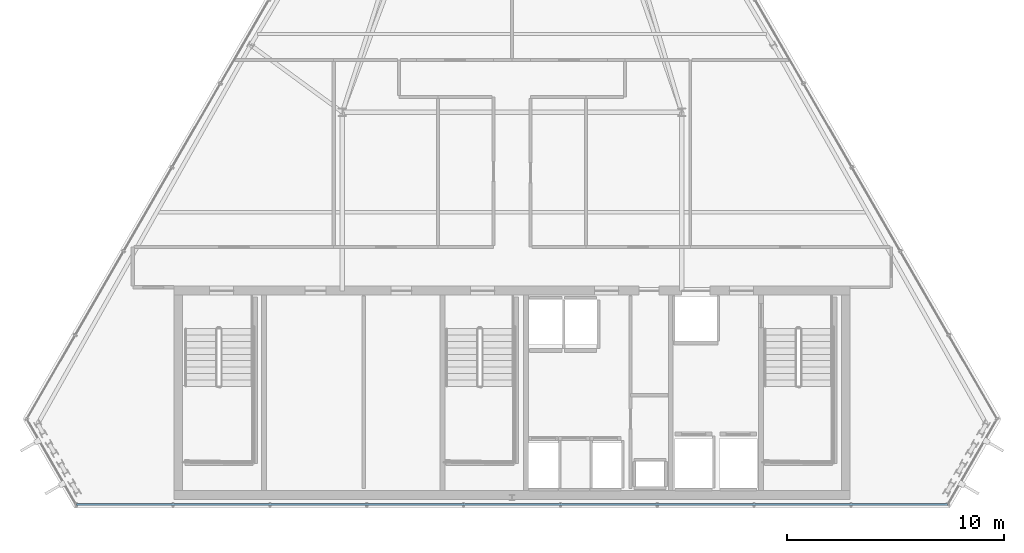
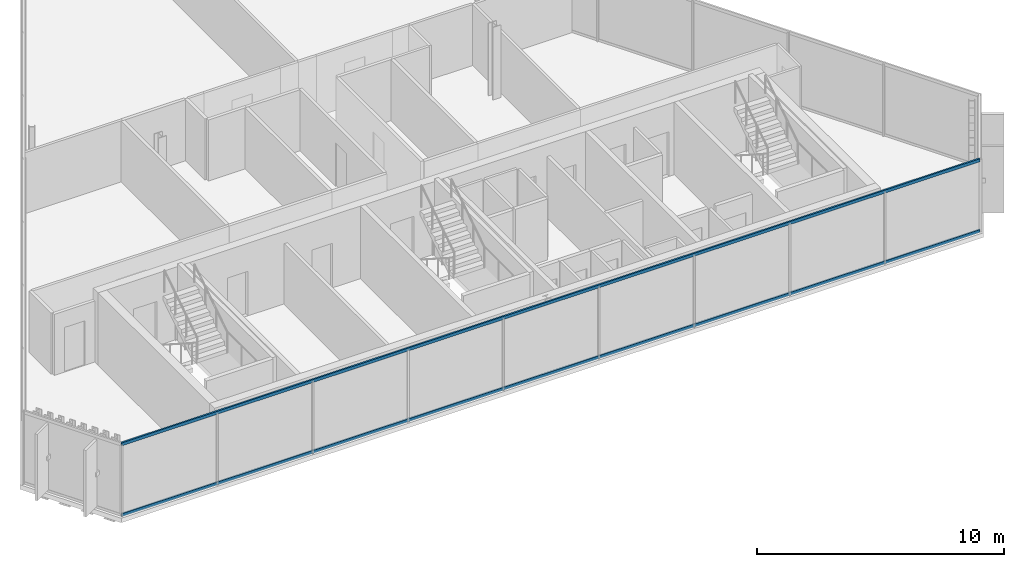
# One storey, part 8 of 32: 2 members, 1 element without a shape of its own.
"""IFC4 building model written with IfcOpenShell, lengths in metres."""

from ifc_helpers import new_model, si_unit, direction, frame, origin, origin_2d, place, context, subcontext, project, spatial, hollow_rectangle, extrude, material, layer, layer_set, material_profile, profile_set, type_object, element, aggregate, save


model = new_model("IFC4")

# Units and contexts
model_context = context("Model", 3, precision=1e-05, world=origin(), true_north=direction((0.0, 1.0)))
body_context = subcontext(model_context, "Body", "Model", "MODEL_VIEW")
ifc_project = project(units=[si_unit("LENGTHUNIT", "METRE"), si_unit("AREAUNIT", "SQUARE_METRE"), si_unit("VOLUMEUNIT", "CUBIC_METRE"), si_unit("PLANEANGLEUNIT", "RADIAN"), si_unit("MASSUNIT", "GRAM", prefix="KILO")], contexts=[model_context])

# Site, building, storey
site_placement = place(None, origin())
site = spatial("IfcSite", under=ifc_project, at=site_placement, CompositionType="ELEMENT")
building_placement = place(site_placement, origin())
building = spatial("IfcBuilding", under=site, at=building_placement, Name="Ndaravel Arena Tower", CompositionType="ELEMENT")
storey_placement = place(building_placement, frame((0.0, 0.0, 287.10009765625)))
storey = spatial("IfcBuildingStorey", under=building, at=storey_placement, Name="L70", CompositionType="ELEMENT", Elevation=287.10009765625)

# Curtain wall, members
ifc_material_1 = material(Name="Aluminium", Category="aluminium")
ifc_layer = layer(ifc_material_1, 0.179931640625)
ifc_layer_set = layer_set([ifc_layer], Name="Aluminium")
curtain_wall_type = type_object("IfcCurtainWallType", Name="CW-SYS-03", PredefinedType="NOTDEFINED", material=ifc_layer_set)
curtain_wall_placement = place(storey_placement, origin())
curtain_wall = element("IfcCurtainWall", 1, at=curtain_wall_placement, inside=storey, type_object=curtain_wall_type, Name="L70 Faceted Crystal Curtain Wall CW-L70-E01", PredefinedType="NOTDEFINED")
ifc_material_2 = material(Name="Aluminium", Category="aluminium")
ifc_material_profile = material_profile(ifc_material_2, hollow_rectangle(XDim=0.074951171875, YDim=0.14990234375, WallThickness=0.00390625, at=origin_2d()), Name="CW TRANSOM 75x150x4")
ifc_profile_set = profile_set([ifc_material_profile], Name="Aluminium")
member_type = type_object("IfcMemberType", Name="MEM-CW-TRN150", PredefinedType="USERDEFINED", material=ifc_profile_set)
member_1_placement = place(storey_placement, frame((21.96484375, 5.159912109375, 0.039794921875), z_axis=(1.0, 0.0, 0.0), x_axis=(0.0, 1.0, 0.0)))
member_1 = element("IfcMember", 2, at=member_1_placement, type_object=member_type, Name="CW-L70-E01 Transom 01", ObjectType="TRANSOM", PredefinedType="USERDEFINED", context=body_context, shape_type="SweptSolid", body=[
    extrude(hollow_rectangle(XDim=0.074951171875, YDim=0.14990234375, WallThickness=0.00390625, at=origin_2d()), origin(), (0.0, 0.0, 1.0), 40.0703125),
])
member_2_placement = place(storey_placement, frame((21.96484375, 5.159912109375, 3.539794921875), z_axis=(1.0, 0.0, 0.0), x_axis=(0.0, 1.0, 0.0)))
member_2 = element("IfcMember", 3, at=member_2_placement, type_object=member_type, Name="CW-L70-E01 Transom 02", ObjectType="TRANSOM", PredefinedType="USERDEFINED", context=body_context, shape_type="SweptSolid", body=[
    extrude(hollow_rectangle(XDim=0.074951171875, YDim=0.14990234375, WallThickness=0.00390625, at=origin_2d()), origin(), (0.0, 0.0, 1.0), 40.0703125),
])
aggregate(curtain_wall, [member_1, member_2])

save(model, "model.ifc")
